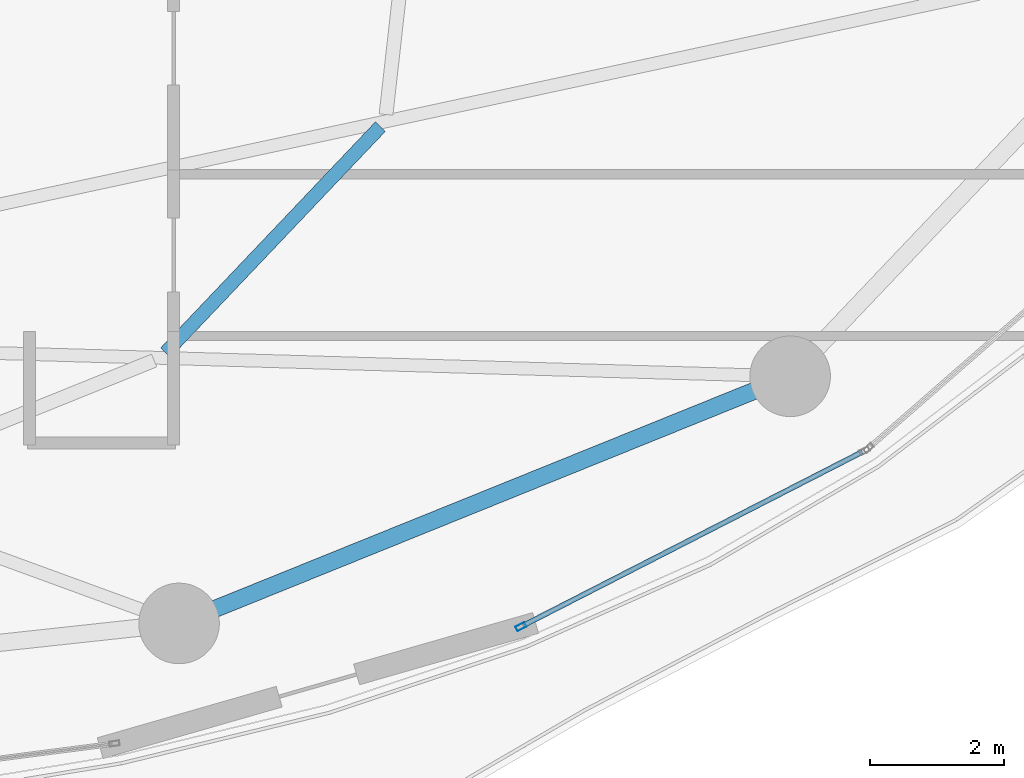
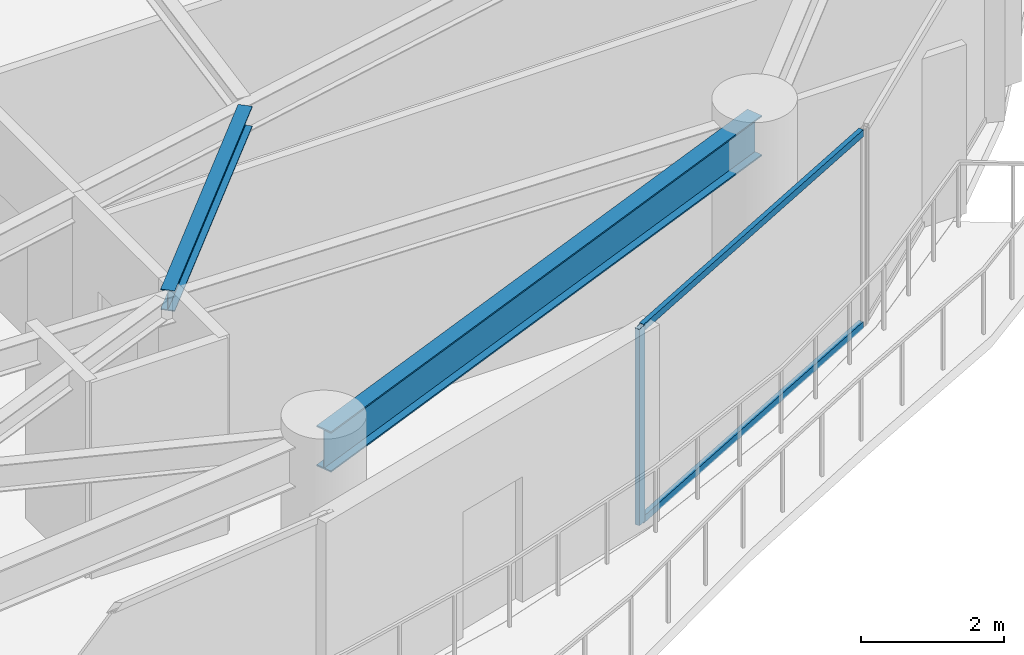
# One storey, part 11 of 28: 3 members, 2 beams, 1 element without a shape of its own.
"""IFC4 building model written with IfcOpenShell, lengths in metres."""

from ifc_helpers import new_model, si_unit, direction, frame, origin, origin_2d, place, context, subcontext, project, spatial, hollow_rectangle, i_section, extrude, material, layer, layer_set, material_profile, profile_set, type_object, element, aggregate, save


model = new_model("IFC4")

# Units and contexts
model_context = context("Model", 3, precision=1e-05, world=origin(), true_north=direction((0.0, 1.0)))
body_context = subcontext(model_context, "Body", "Model", "MODEL_VIEW")
ifc_project = project(units=[si_unit("LENGTHUNIT", "METRE"), si_unit("AREAUNIT", "SQUARE_METRE"), si_unit("VOLUMEUNIT", "CUBIC_METRE"), si_unit("PLANEANGLEUNIT", "RADIAN"), si_unit("MASSUNIT", "GRAM", prefix="KILO")], contexts=[model_context])

# Site, building, storey
site_placement = place(None, origin())
site = spatial("IfcSite", under=ifc_project, at=site_placement, CompositionType="ELEMENT")
building_placement = place(site_placement, origin())
building = spatial("IfcBuilding", under=site, at=building_placement, Name="Kazevale Care Tower and Concert Hall", CompositionType="ELEMENT")
storey_placement = place(building_placement, frame((0.0, 0.0, 142.199951171875)))
storey = spatial("IfcBuildingStorey", under=building, at=storey_placement, Name="L37", CompositionType="ELEMENT", Elevation=142.199951171875)

# Curtain wall, members
ifc_material_1 = material(Name="Aluminium 6063-T6 and Low-E Glass", Category="aluminium")
ifc_layer = layer(ifc_material_1, 0.179931640625)
ifc_layer_set = layer_set([ifc_layer], Name="Aluminium 6063-T6 and Low-E Glass")
curtain_wall_type = type_object("IfcCurtainWallType", Name="Sheltered Concave Balcony Curtain Wall CW-5", PredefinedType="NOTDEFINED", material=ifc_layer_set)
curtain_wall_placement = place(storey_placement, origin())
curtain_wall = element("IfcCurtainWall", 1, at=curtain_wall_placement, inside=storey, type_object=curtain_wall_type, Name="cw:L37:f03", PredefinedType="NOTDEFINED")
ifc_material_2 = material(Name="Aluminium 6063-T6", Category="aluminium")
ifc_material_profile_1 = material_profile(ifc_material_2, hollow_rectangle(XDim=0.074951171875, YDim=0.14990234375, WallThickness=0.00390625, at=origin_2d()), Name="ALU75x150x4")
ifc_profile_set_1 = profile_set([ifc_material_profile_1], Name="Aluminium 6063-T6")
member_type_1 = type_object("IfcMemberType", Name="CW-5 Mullion ALU75x150x4", PredefinedType="MULLION", material=ifc_profile_set_1)
member_1_placement = place(storey_placement, frame((60.822265625, 19.26220703125, 0.0), z_axis=(0.0, 0.0, 1.0), x_axis=(0.455713236575, -0.890126646051, 0.0)))
member_1 = element("IfcMember", 2, at=member_1_placement, type_object=member_type_1, Name="CW-5 mullion 2", PredefinedType="MULLION", context=body_context, shape_type="SweptSolid", body=[
    extrude(hollow_rectangle(XDim=0.074951171875, YDim=0.14990234375, WallThickness=0.00390625, at=origin_2d()), origin(), (0.0, 0.0, 1.0), 3.360107421875),
])
ifc_material_profile_2 = material_profile(ifc_material_2, hollow_rectangle(XDim=0.074951171875, YDim=0.1201171875, WallThickness=0.00390625, at=origin_2d()), Name="ALU75x120x4")
ifc_profile_set_2 = profile_set([ifc_material_profile_2], Name="Aluminium 6063-T6")
member_type_2 = type_object("IfcMemberType", Name="CW-5 Transom ALU75x120x4", PredefinedType="USERDEFINED", material=ifc_profile_set_2)
member_2_placement = place(storey_placement, frame((65.904296875, 21.86376953125, 0.03759765625), z_axis=(-0.890142600475, -0.455682072084, 0.0), x_axis=(0.455682072084, -0.890142600475, 0.0)))
member_2 = element("IfcMember", 3, at=member_2_placement, type_object=member_type_2, Name="CW-5 transom 1.1", ObjectType="TRANSOM", PredefinedType="USERDEFINED", context=body_context, shape_type="SweptSolid", body=[
    extrude(hollow_rectangle(XDim=0.074951171875, YDim=0.1201171875, WallThickness=0.00390625, at=origin_2d()), origin(), (0.0, 0.0, 1.0), 5.671630859375),
])
member_3_placement = place(storey_placement, frame((65.904296875, 21.86376953125, 3.322509765625), z_axis=(-0.890142600475, -0.455682072084, 0.0), x_axis=(0.455682072084, -0.890142600475, 0.0)))
member_3 = element("IfcMember", 4, at=member_3_placement, type_object=member_type_2, Name="CW-5 transom 1.2", ObjectType="TRANSOM", PredefinedType="USERDEFINED", context=body_context, shape_type="SweptSolid", body=[
    extrude(hollow_rectangle(XDim=0.074951171875, YDim=0.1201171875, WallThickness=0.00390625, at=origin_2d()), origin(), (0.0, 0.0, 1.0), 5.671630859375),
])
aggregate(curtain_wall, [member_1, member_2, member_3])

# Beams
ifc_material_3 = material(Name="Steel ASTM A572 Gr 50", Category="steel")
ifc_material_profile_3 = material_profile(ifc_material_3, i_section(OverallWidth=0.205078125, OverallDepth=0.35400390625, WebThickness=0.009521484375, FlangeThickness=0.016845703125, at=origin_2d()), Name="W360x79")
ifc_profile_set_3 = profile_set([ifc_material_profile_3], Name="Steel ASTM A572 Gr 50")
beam_type_1 = type_object("IfcBeamType", Name="Secondary Floor Joist W360x79", PredefinedType="JOIST", material=ifc_profile_set_3)
beam_1_placement = place(storey_placement, frame((55.529052734375, 23.341064453125, 3.18310546875), z_axis=(0.688792288395, 0.724958746032, 0.0), x_axis=(-0.724958746032, 0.688792288395, 0.0)))
element("IfcBeam", 5, at=beam_1_placement, inside=storey, type_object=beam_type_1, Name="beam:L37:joist:15", PredefinedType="JOIST", context=body_context, shape_type="SweptSolid", body=[
    extrude(i_section(OverallWidth=0.205078125, OverallDepth=0.35400390625, WebThickness=0.009521484375, FlangeThickness=0.016845703125, at=origin_2d()), origin(), (0.0, 0.0, 1.0), 4.644287109375),
])
ifc_material_profile_4 = material_profile(ifc_material_3, i_section(OverallWidth=0.256103515625, OverallDepth=0.693115234375, WebThickness=0.014404296875, FlangeThickness=0.023681640625, at=origin_2d()), Name="W690x170")
ifc_profile_set_4 = profile_set([ifc_material_profile_4], Name="Steel ASTM A572 Gr 50")
beam_type_2 = type_object("IfcBeamType", Name="Waist Ring Beam W690x170", PredefinedType="BEAM", material=ifc_profile_set_4)
beam_2_placement = place(storey_placement, frame((55.72998046875, 19.31005859375, 3.013427734375), z_axis=(0.927068687828, 0.374891515041, 0.0), x_axis=(-0.374891515041, 0.927068687828, 0.0)))
element("IfcBeam", 6, at=beam_2_placement, inside=storey, type_object=beam_type_2, Name="beam:L37:ring:14", PredefinedType="BEAM", context=body_context, shape_type="SweptSolid", body=[
    extrude(i_section(OverallWidth=0.256103515625, OverallDepth=0.693115234375, WebThickness=0.014404296875, FlangeThickness=0.023681640625, at=origin_2d()), origin(), (0.0, 0.0, 1.0), 9.81591796875),
])

save(model, "model.ifc")
